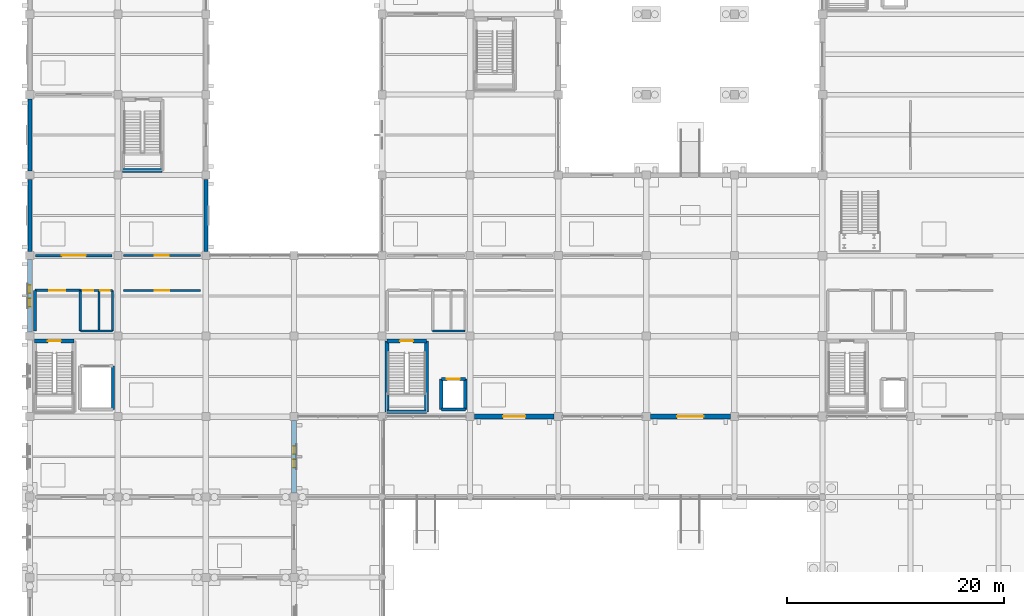
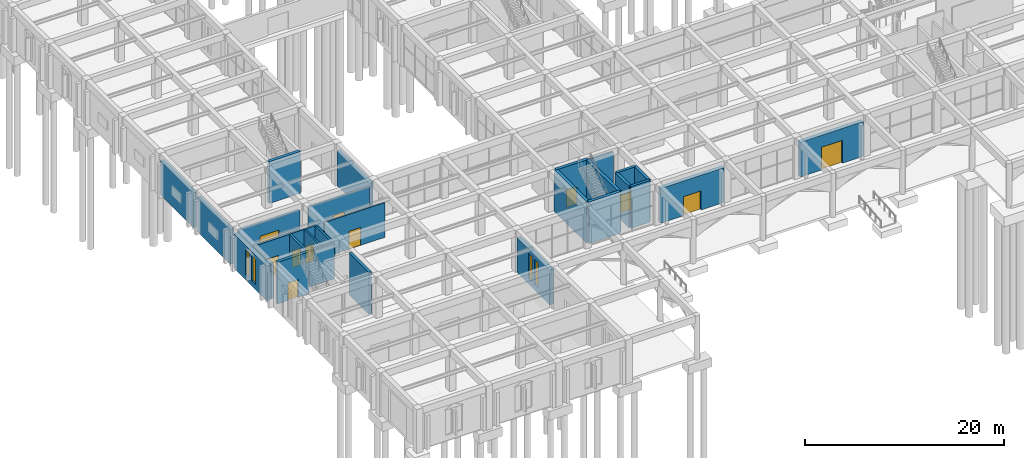
# One storey, part 122 of 140: 29 walls, 11 doors, 4 windows, 15 openings.
"""IFC4 building model written with IfcOpenShell, lengths in metres."""

from ifc_helpers import new_model, si_unit, direction, frame, frame_2d, origin, place, context, subcontext, project, spatial, rectangle, extrude, material, layer, layer_set, type_object, element, fill, save


model = new_model("IFC4")

# Units and contexts
model_context = context("Model", 3, precision=1e-05, world=origin(), true_north=direction((0.0, 1.0)))
body_context = subcontext(model_context, "Body", "Model", "MODEL_VIEW")
ifc_project = project(units=[si_unit("LENGTHUNIT", "METRE"), si_unit("AREAUNIT", "SQUARE_METRE"), si_unit("VOLUMEUNIT", "CUBIC_METRE"), si_unit("PLANEANGLEUNIT", "RADIAN"), si_unit("MASSUNIT", "GRAM", prefix="KILO")], contexts=[model_context])

# Site, building, storey
site_placement = place(None, origin())
site = spatial("IfcSite", under=ifc_project, at=site_placement, CompositionType="ELEMENT")
building_placement = place(site_placement, origin())
building = spatial("IfcBuilding", under=site, at=building_placement, Name="Cimatlan Art Gallery", CompositionType="ELEMENT")
storey_placement = place(building_placement, origin())
storey = spatial("IfcBuildingStorey", under=building, at=storey_placement, Name="L00", CompositionType="ELEMENT", Elevation=0.0)

# Walls
ifc_material_1 = material(Name="Concrete C40/50", Category="concrete")
ifc_layer_1 = layer(ifc_material_1, 0.31005859375)
ifc_layer_set_1 = layer_set([ifc_layer_1], Name="Concrete C40/50")
wall_type_1 = type_object("IfcWallType", Name="W-CORE-310", PredefinedType="SHEAR", material=ifc_layer_set_1)
wall_1_placement = place(storey_placement, frame((9.64990234375, 24.550048828125, 0.0), z_axis=(0.0, 0.0, 1.0), x_axis=(0.0, 1.0, 0.0)))
element("IfcWall", 1, at=wall_1_placement, inside=storey, type_object=wall_type_1, Name="WL-SHFT-C1-L00-LE", PredefinedType="SHEAR", context=body_context, shape_type="SweptSolid", body=[
    extrude(rectangle(XDim=4.0, YDim=0.31005859375, at=frame_2d((2.0, 0.0))), origin(), (0.0, 0.0, 1.0), 5.1298828125),
])
wall_2_placement = place(storey_placement, frame((39.85009765625, 24.550048828125, 0.0), z_axis=(0.0, 0.0, 1.0), x_axis=(0.0, 1.0, 0.0)))
element("IfcWall", 2, at=wall_2_placement, inside=storey, type_object=wall_type_1, Name="WL-SHFT-C2-L00-LW", PredefinedType="SHEAR", context=body_context, shape_type="SweptSolid", body=[
    extrude(rectangle(XDim=2.800048828125, YDim=0.31005859375, at=frame_2d((1.39990234375, 0.0))), origin(), (0.0, 0.0, 1.0), 5.1298828125),
])
wall_3_placement = place(storey_placement, frame((39.85009765625, 24.550048828125, 0.0), z_axis=(0.0, 0.0, 1.0), x_axis=(1.0, 0.0, 0.0)))
element("IfcWall", 3, at=wall_3_placement, inside=storey, type_object=wall_type_1, Name="WL-SHFT-C2-L00-LS", PredefinedType="SHEAR", context=body_context, shape_type="SweptSolid", body=[
    extrude(rectangle(XDim=2.199951171875, YDim=0.31005859375, at=frame_2d((1.10009765625, 0.0))), origin(), (0.0, 0.0, 1.0), 5.1298828125),
])
wall_4_placement = place(storey_placement, frame((42.050048828125, 24.550048828125, 0.0), z_axis=(0.0, 0.0, 1.0), x_axis=(0.0, 1.0, 0.0)))
element("IfcWall", 4, at=wall_4_placement, inside=storey, type_object=wall_type_1, Name="WL-SHFT-C2-L00-LE", PredefinedType="SHEAR", context=body_context, shape_type="SweptSolid", body=[
    extrude(rectangle(XDim=2.800048828125, YDim=0.31005859375, at=frame_2d((1.39990234375, 0.0))), origin(), (0.0, 0.0, 1.0), 5.1298828125),
])

# Wall, opening, door
wall_5_placement = place(storey_placement, frame((39.85009765625, 27.35009765625, 0.0), z_axis=(0.0, 0.0, 1.0), x_axis=(1.0, 0.0, 0.0)))
wall_5 = element("IfcWall", 5, at=wall_5_placement, inside=storey, type_object=wall_type_1, Name="WL-SHFT-C2-L00-LN", PredefinedType="SHEAR", context=body_context, shape_type="SweptSolid", body=[
    extrude(rectangle(XDim=2.199951171875, YDim=0.31005859375, at=frame_2d((1.10009765625, 0.0))), origin(), (0.0, 0.0, 1.0), 5.1298828125),
])
opening_1_placement = place(wall_5_placement, frame((0.5, 0.0, 0.0)))
opening_1 = element("IfcOpeningElement", 6, at=opening_1_placement, cuts=wall_5, Name="Opening LD-C2-L00", PredefinedType="OPENING", context=body_context, shape_type="SweptSolid", body=[
    extrude(rectangle(XDim=1.199951171875, YDim=2.14990234375, at=frame_2d((0.60009765625, 1.074951171875))), frame((0.0, 0.1650390625, 0.0), z_axis=(0.0, -1.0, 0.0), x_axis=(1.0, 0.0, 0.0)), (0.0, 0.0, 1.0), 0.330078125),
])
ifc_material_2 = material(Name="Fire-rated sliding firefighting lift landing door")
door_type_1 = type_object("IfcDoorType", Name="LD-FF-1200", OperationType="NOTDEFINED", PredefinedType="DOOR", material=ifc_material_2)
door_1_placement = place(opening_1_placement, origin())
door_1 = element("IfcDoor", 7, at=door_1_placement, inside=storey, type_object=door_type_1, Name="LD-FFL-01-L00", OperationType="SLIDING_TO_RIGHT", OverallHeight=2.14990234375, OverallWidth=1.199951171875, PredefinedType="DOOR", context=body_context, shape_type="SweptSolid", body=[
    extrude(rectangle(XDim=1.199951171875, YDim=2.14990234375, at=frame_2d((0.60009765625, 1.074951171875))), frame((0.0, 0.02490234375, 0.0), z_axis=(0.0, -1.0, 0.0), x_axis=(1.0, 0.0, 0.0)), (0.0, 0.0, 1.0), 0.050048828125),
])
fill(opening_1, door_1)

ifc_layer_2 = layer(ifc_material_1, 0.35009765625)
ifc_layer_set_2 = layer_set([ifc_layer_2], Name="Concrete C40/50")
wall_type_2 = type_object("IfcWallType", Name="W-CORE-350", PredefinedType="SHEAR", material=ifc_layer_set_2)
wall_6_placement = place(storey_placement, frame((2.43994140625, 30.860107421875, 0.0), z_axis=(0.0, 0.0, 1.0), x_axis=(1.0, 0.0, 0.0)))
wall_6 = element("IfcWall", 8, at=wall_6_placement, inside=storey, type_object=wall_type_2, Name="WL-CORE-C1-L00-SN", PredefinedType="SHEAR", context=body_context, shape_type="SweptSolid", body=[
    extrude(rectangle(XDim=3.64013671875, YDim=0.35009765625, at=frame_2d((1.820068359375, 0.0))), origin(), (0.0, 0.0, 1.0), 5.1298828125),
])
opening_2_placement = place(wall_6_placement, frame((1.219970703125, 0.0, 0.0)))
opening_2 = element("IfcOpeningElement", 9, at=opening_2_placement, cuts=wall_6, Name="Opening FD-C1-L00", PredefinedType="OPENING", context=body_context, shape_type="SweptSolid", body=[
    extrude(rectangle(XDim=1.199951171875, YDim=2.14990234375, at=frame_2d((0.60009765625, 1.074951171875))), frame((0.0, 0.18505859375, 0.0), z_axis=(0.0, -1.0, 0.0), x_axis=(1.0, 0.0, 0.0)), (0.0, 0.0, 1.0), 0.3701171875),
])
ifc_material_3 = material(Name="Fire-resisting steel acoustic stair door", Category="steel")
door_type_2 = type_object("IfcDoorType", Name="FD-ST-1200", OperationType="NOTDEFINED", PredefinedType="DOOR", material=ifc_material_3)
door_2_placement = place(opening_2_placement, origin())
door_2 = element("IfcDoor", 10, at=door_2_placement, inside=storey, type_object=door_type_2, Name="DR-C1-L00-ST", OperationType="SINGLE_SWING_LEFT", OverallHeight=2.14990234375, OverallWidth=1.199951171875, PredefinedType="DOOR", context=body_context, shape_type="SweptSolid", body=[
    extrude(rectangle(XDim=1.199951171875, YDim=2.14990234375, at=frame_2d((0.60009765625, 1.074951171875))), frame((0.0, 0.02490234375, 0.0), z_axis=(0.0, -1.0, 0.0), x_axis=(1.0, 0.0, 0.0)), (0.0, 0.0, 1.0), 0.050048828125),
])
fill(opening_2, door_2)

# Walls
wall_7_placement = place(storey_placement, frame((34.840087890625, 24.340087890625, 0.0), z_axis=(0.0, 0.0, 1.0), x_axis=(0.0, 1.0, 0.0)))
element("IfcWall", 11, at=wall_7_placement, inside=storey, type_object=wall_type_2, Name="WL-CORE-C2-L00-SW", PredefinedType="SHEAR", context=body_context, shape_type="SweptSolid", body=[
    extrude(rectangle(XDim=6.52001953125, YDim=0.35009765625, at=frame_2d((3.260009765625, 0.0))), origin(), (0.0, 0.0, 1.0), 5.1298828125),
])
wall_8_placement = place(storey_placement, frame((34.840087890625, 24.340087890625, 0.0), z_axis=(0.0, 0.0, 1.0), x_axis=(1.0, 0.0, 0.0)))
element("IfcWall", 12, at=wall_8_placement, inside=storey, type_object=wall_type_2, Name="WL-CORE-C2-L00-SS", PredefinedType="SHEAR", context=body_context, shape_type="SweptSolid", body=[
    extrude(rectangle(XDim=3.639892578125, YDim=0.35009765625, at=frame_2d((1.81982421875, 0.0))), origin(), (0.0, 0.0, 1.0), 5.1298828125),
])
wall_9_placement = place(storey_placement, frame((38.47998046875, 24.340087890625, 0.0), z_axis=(0.0, 0.0, 1.0), x_axis=(0.0, 1.0, 0.0)))
element("IfcWall", 13, at=wall_9_placement, inside=storey, type_object=wall_type_2, Name="WL-CORE-C2-L00-SE", PredefinedType="SHEAR", context=body_context, shape_type="SweptSolid", body=[
    extrude(rectangle(XDim=6.52001953125, YDim=0.35009765625, at=frame_2d((3.260009765625, 0.0))), origin(), (0.0, 0.0, 1.0), 5.1298828125),
])

# Wall, opening, door
wall_10_placement = place(storey_placement, frame((34.840087890625, 30.860107421875, 0.0), z_axis=(0.0, 0.0, 1.0), x_axis=(1.0, 0.0, 0.0)))
wall_10 = element("IfcWall", 14, at=wall_10_placement, inside=storey, type_object=wall_type_2, Name="WL-CORE-C2-L00-SN", PredefinedType="SHEAR", context=body_context, shape_type="SweptSolid", body=[
    extrude(rectangle(XDim=3.639892578125, YDim=0.35009765625, at=frame_2d((1.81982421875, 0.0))), origin(), (0.0, 0.0, 1.0), 5.1298828125),
])
opening_3_placement = place(wall_10_placement, frame((1.219970703125, 0.0, 0.0)))
opening_3 = element("IfcOpeningElement", 15, at=opening_3_placement, cuts=wall_10, Name="Opening FD-C2-L00", PredefinedType="OPENING", context=body_context, shape_type="SweptSolid", body=[
    extrude(rectangle(XDim=1.199951171875, YDim=2.14990234375, at=frame_2d((0.60009765625, 1.074951171875))), frame((0.0, 0.18505859375, 0.0), z_axis=(0.0, -1.0, 0.0), x_axis=(1.0, 0.0, 0.0)), (0.0, 0.0, 1.0), 0.3701171875),
])
door_3_placement = place(opening_3_placement, origin())
door_3 = element("IfcDoor", 16, at=door_3_placement, inside=storey, type_object=door_type_2, Name="DR-C2-L00-ST", OperationType="SINGLE_SWING_LEFT", OverallHeight=2.14990234375, OverallWidth=1.199951171875, PredefinedType="DOOR", context=body_context, shape_type="SweptSolid", body=[
    extrude(rectangle(XDim=1.199951171875, YDim=2.14990234375, at=frame_2d((0.60009765625, 1.074951171875))), frame((0.0, 0.02490234375, 0.0), z_axis=(0.0, -1.0, 0.0), x_axis=(1.0, 0.0, 0.0)), (0.0, 0.0, 1.0), 0.050048828125),
])
fill(opening_3, door_3)

# Wall
wall_11_placement = place(storey_placement, frame((10.5400390625, 46.5400390625, 0.0), z_axis=(0.0, 0.0, 1.0), x_axis=(1.0, 0.0, 0.0)))
element("IfcWall", 17, at=wall_11_placement, inside=storey, type_object=wall_type_2, Name="WL-CORE-C7-L00-SS", PredefinedType="SHEAR", context=body_context, shape_type="SweptSolid", body=[
    extrude(rectangle(XDim=3.639892578125, YDim=0.35009765625, at=frame_2d((1.81982421875, 0.0))), origin(), (0.0, 0.0, 1.0), 5.1298828125),
])

# Wall, opening, door
ifc_material_4 = material(Name="Precast concrete C40/50", Category="concrete")
ifc_layer_3 = layer(ifc_material_4, 0.2451171875)
ifc_layer_set_3 = layer_set([ifc_layer_3], Name="Precast concrete C40/50")
wall_type_3 = type_object("IfcWallType", Name="W-FFL-245", PredefinedType="PARTITIONING", material=ifc_layer_set_3)
wall_12_placement = place(storey_placement, frame((2.47998046875, 35.5, 0.0), z_axis=(0.0, 0.0, 1.0), x_axis=(1.0, 0.0, 0.0)))
wall_12 = element("IfcWall", 18, at=wall_12_placement, inside=storey, type_object=wall_type_3, Name="WL-LOB-C1-L00-N", PredefinedType="PARTITIONING", context=body_context, shape_type="SweptSolid", body=[
    extrude(rectangle(XDim=4.169921875, YDim=0.2451171875, at=frame_2d((2.0849609375, 0.0))), origin(), (0.0, 0.0, 1.0), 4.27490234375),
])
opening_4_placement = place(wall_12_placement, frame((1.300048828125, 0.0, 0.0)))
opening_4 = element("IfcOpeningElement", 19, at=opening_4_placement, cuts=wall_12, Name="Opening FDL-C1-L00", PredefinedType="OPENING", context=body_context, shape_type="SweptSolid", body=[
    extrude(rectangle(XDim=1.5, YDim=2.14990234375, at=frame_2d((0.75, 1.074951171875))), frame((0.0, 0.132568359375, 0.0), z_axis=(0.0, -1.0, 0.0), x_axis=(1.0, 0.0, 0.0)), (0.0, 0.0, 1.0), 0.26513671875),
])
ifc_material_5 = material(Name="Fire-resisting double-seal lobby door")
door_type_3 = type_object("IfcDoorType", Name="FD-LB-1500", OperationType="NOTDEFINED", PredefinedType="DOOR", material=ifc_material_5)
door_4_placement = place(opening_4_placement, origin())
door_4 = element("IfcDoor", 20, at=door_4_placement, inside=storey, type_object=door_type_3, Name="DR-LOB-C1-L00", OperationType="SINGLE_SWING_RIGHT", OverallHeight=2.14990234375, OverallWidth=1.5, PredefinedType="DOOR", context=body_context, shape_type="SweptSolid", body=[
    extrude(rectangle(XDim=1.5, YDim=2.14990234375, at=frame_2d((0.75, 1.074951171875))), frame((0.0, 0.02490234375, 0.0), z_axis=(0.0, -1.0, 0.0), x_axis=(1.0, 0.0, 0.0)), (0.0, 0.0, 1.0), 0.050048828125),
])
fill(opening_4, door_4)

# Walls
for number, where, z_axis, x_axis, name in (
    (21, (2.47998046875, 31.780029296875, 0.0), (0.0, 0.0, 1.0), (0.0, 1.0, 0.0), "WL-LOB-C1-L00-W"),
    (22, (6.64990234375, 31.780029296875, 0.0), (0.0, 0.0, 1.0), (0.0, 1.0, 0.0), "WL-LOB-C1-L00-M"),
):
    element("IfcWall", number, at=place(storey_placement, frame(where, z_axis=z_axis, x_axis=x_axis)), inside=storey, type_object=wall_type_3, Name=name, PredefinedType="PARTITIONING", context=body_context, shape_type="SweptSolid", body=[
        extrude(rectangle(XDim=3.719970703125, YDim=0.2451171875, at=frame_2d((1.85986328125, 0.0))), origin(), (0.0, 0.0, 1.0), 4.27490234375),
    ])

# Wall, opening, door
wall_13_placement = place(storey_placement, frame((2.52001953125, 38.699951171875, 0.0), z_axis=(0.0, 0.0, 1.0), x_axis=(1.0, 0.0, 0.0)))
wall_13 = element("IfcWall", 23, at=wall_13_placement, inside=storey, type_object=wall_type_3, Name="WL-RM-L00-AST-01", PredefinedType="PARTITIONING", context=body_context, shape_type="SweptSolid", body=[
    extrude(rectangle(XDim=7.06005859375, YDim=0.2451171875, at=frame_2d((3.530029296875, 0.0))), origin(), (0.0, 0.0, 1.0), 4.27490234375),
])
opening_5_placement = place(wall_13_placement, frame((2.429931640625, 0.0, 0.0)))
opening_5 = element("IfcOpeningElement", 24, at=opening_5_placement, cuts=wall_13, Name="Opening DI-0173", PredefinedType="OPENING", context=body_context, shape_type="SweptSolid", body=[
    extrude(rectangle(XDim=2.199951171875, YDim=2.64990234375, at=frame_2d((1.10009765625, 1.324951171875))), frame((0.0, 0.132568359375, 0.0), z_axis=(0.0, -1.0, 0.0), x_axis=(1.0, 0.0, 0.0)), (0.0, 0.0, 1.0), 0.26513671875),
])
ifc_material_6 = material(Name="Fire-resisting large-format art-store door")
door_type_4 = type_object("IfcDoorType", Name="FD-VL-2200", OperationType="NOTDEFINED", PredefinedType="DOOR", material=ifc_material_6)
door_5_placement = place(opening_5_placement, origin())
door_5 = element("IfcDoor", 25, at=door_5_placement, inside=storey, type_object=door_type_4, Name="DR-RM-L00-AST-01", OperationType="SINGLE_SWING_LEFT", OverallHeight=2.64990234375, OverallWidth=2.199951171875, PredefinedType="DOOR", context=body_context, shape_type="SweptSolid", body=[
    extrude(rectangle(XDim=2.199951171875, YDim=2.64990234375, at=frame_2d((1.10009765625, 1.324951171875))), frame((0.0, 0.02490234375, 0.0), z_axis=(0.0, -1.0, 0.0), x_axis=(1.0, 0.0, 0.0)), (0.0, 0.0, 1.0), 0.050048828125),
])
fill(opening_5, door_5)

ifc_material_7 = material(Name="Acoustic gypsum and steel stud partition", Category="steel")
ifc_layer_4 = layer(ifc_material_7, 0.159912109375)
ifc_layer_set_4 = layer_set([ifc_layer_4], Name="Acoustic gypsum and steel stud partition")
wall_type_4 = type_object("IfcWallType", Name="W-LRN-160", PredefinedType="PARTITIONING", material=ifc_layer_set_4)
wall_14_placement = place(storey_placement, frame((10.6201171875, 35.5, 0.0), z_axis=(0.0, 0.0, 1.0), x_axis=(1.0, 0.0, 0.0)))
wall_14 = element("IfcWall", 26, at=wall_14_placement, inside=storey, type_object=wall_type_4, Name="WL-RM-L00-LRN-01", PredefinedType="PARTITIONING", context=body_context, shape_type="SweptSolid", body=[
    extrude(rectangle(XDim=7.059814453125, YDim=0.159912109375, at=frame_2d((3.52978515625, 0.0))), origin(), (0.0, 0.0, 1.0), 4.27490234375),
])
opening_6_placement = place(wall_14_placement, frame((2.85498046875, 0.0, 0.0)))
opening_6 = element("IfcOpeningElement", 27, at=opening_6_placement, cuts=wall_14, Name="Opening DI-0176", PredefinedType="OPENING", context=body_context, shape_type="SweptSolid", body=[
    extrude(rectangle(XDim=1.35009765625, YDim=2.199951171875, at=frame_2d((0.675048828125, 1.10009765625))), frame((0.0, 0.08984375, 0.0), z_axis=(0.0, -1.0, 0.0), x_axis=(1.0, 0.0, 0.0)), (0.0, 0.0, 1.0), 0.179931640625),
])
ifc_material_8 = material(Name="Oak learning-centre workshop door")
door_type_5 = type_object("IfcDoorType", Name="DI-LN-1350", OperationType="NOTDEFINED", PredefinedType="DOOR", material=ifc_material_8)
door_6_placement = place(opening_6_placement, origin())
door_6 = element("IfcDoor", 28, at=door_6_placement, inside=storey, type_object=door_type_5, Name="DR-RM-L00-LRN-01", OperationType="SINGLE_SWING_RIGHT", OverallHeight=2.199951171875, OverallWidth=1.35009765625, PredefinedType="DOOR", context=body_context, shape_type="SweptSolid", body=[
    extrude(rectangle(XDim=1.35009765625, YDim=2.199951171875, at=frame_2d((0.675048828125, 1.10009765625))), frame((0.0, 0.02490234375, 0.0), z_axis=(0.0, -1.0, 0.0), x_axis=(1.0, 0.0, 0.0)), (0.0, 0.0, 1.0), 0.050048828125),
])
fill(opening_6, door_6)

# Walls
ifc_material_9 = material(Name="Moisture-resistant fire-rated plumbing wall")
ifc_layer_5 = layer(ifc_material_9, 0.195068359375)
ifc_layer_set_5 = layer_set([ifc_layer_5], Name="Moisture-resistant fire-rated plumbing wall")
wall_type_5 = type_object("IfcWallType", Name="W-PLM-195", PredefinedType="PARTITIONING", material=ifc_layer_set_5)
for number, where, z_axis, x_axis, name in (
    (29, (8.35009765625, 31.780029296875, 0.0), (0.0, 0.0, 1.0), (0.0, 1.0, 0.0), "WL-LOB-C1-L00-D"),
    (30, (9.6201171875, 31.780029296875, 0.0), (0.0, 0.0, 1.0), (0.0, 1.0, 0.0), "WL-LOB-C1-L00-E"),
):
    element("IfcWall", number, at=place(storey_placement, frame(where, z_axis=z_axis, x_axis=x_axis)), inside=storey, type_object=wall_type_5, Name=name, PredefinedType="PARTITIONING", context=body_context, shape_type="SweptSolid", body=[
        extrude(rectangle(XDim=3.719970703125, YDim=0.195068359375, at=frame_2d((1.85986328125, 0.0))), origin(), (0.0, 0.0, 1.0), 4.27490234375),
    ])
wall_15_placement = place(storey_placement, frame((6.64990234375, 31.780029296875, 0.0), z_axis=(0.0, 0.0, 1.0), x_axis=(1.0, 0.0, 0.0)))
element("IfcWall", 31, at=wall_15_placement, inside=storey, type_object=wall_type_5, Name="WL-LOB-C1-L00-S", PredefinedType="PARTITIONING", context=body_context, shape_type="SweptSolid", body=[
    extrude(rectangle(XDim=2.97021484375, YDim=0.195068359375, at=frame_2d((1.485107421875, 0.0))), origin(), (0.0, 0.0, 1.0), 4.27490234375),
])

# Wall, openings, doors
wall_16_placement = place(storey_placement, frame((6.64990234375, 35.5, 0.0), z_axis=(0.0, 0.0, 1.0), x_axis=(1.0, 0.0, 0.0)))
wall_16 = element("IfcWall", 32, at=wall_16_placement, inside=storey, type_object=wall_type_5, Name="WL-WC-C1-L00-N", PredefinedType="PARTITIONING", context=body_context, shape_type="SweptSolid", body=[
    extrude(rectangle(XDim=2.97021484375, YDim=0.195068359375, at=frame_2d((1.485107421875, 0.0))), origin(), (0.0, 0.0, 1.0), 4.27490234375),
])
opening_7_placement = place(wall_16_placement, frame((0.25, 0.0, 0.0)))
opening_7 = element("IfcOpeningElement", 33, at=opening_7_placement, cuts=wall_16, Name="Opening DWC-C1A-L00", PredefinedType="OPENING", context=body_context, shape_type="SweptSolid", body=[
    extrude(rectangle(XDim=0.949951171875, YDim=2.10009765625, at=frame_2d((0.47509765625, 1.050048828125))), frame((0.0, 0.107421875, 0.0), z_axis=(0.0, -1.0, 0.0), x_axis=(1.0, 0.0, 0.0)), (0.0, 0.0, 1.0), 0.215087890625),
])
opening_8_placement = place(wall_16_placement, frame((1.820068359375, 0.0, 0.0)))
opening_8 = element("IfcOpeningElement", 34, at=opening_8_placement, cuts=wall_16, Name="Opening DWC-C1B-L00", PredefinedType="OPENING", context=body_context, shape_type="SweptSolid", body=[
    extrude(rectangle(XDim=0.89990234375, YDim=2.10009765625, at=frame_2d((0.449951171875, 1.050048828125))), frame((0.0, 0.107421875, 0.0), z_axis=(0.0, -1.0, 0.0), x_axis=(1.0, 0.0, 0.0)), (0.0, 0.0, 1.0), 0.215087890625),
])
ifc_material_10 = material(Name="Sanitary room door")
door_type_6 = type_object("IfcDoorType", Name="DI-WC-0900", OperationType="NOTDEFINED", PredefinedType="DOOR", material=ifc_material_10)
door_7_placement = place(opening_8_placement, origin())
door_7 = element("IfcDoor", 35, at=door_7_placement, inside=storey, type_object=door_type_6, Name="DR-PWC-C1-L00", OperationType="SINGLE_SWING_RIGHT", OverallHeight=2.10009765625, OverallWidth=0.89990234375, PredefinedType="DOOR", context=body_context, shape_type="SweptSolid", body=[
    extrude(rectangle(XDim=0.89990234375, YDim=2.10009765625, at=frame_2d((0.449951171875, 1.050048828125))), frame((0.0, 0.02490234375, 0.0), z_axis=(0.0, -1.0, 0.0), x_axis=(1.0, 0.0, 0.0)), (0.0, 0.0, 1.0), 0.050048828125),
])
fill(opening_8, door_7)
ifc_material_11 = material(Name="Accessible sanitary room door")
door_type_7 = type_object("IfcDoorType", Name="DI-WC-0950", OperationType="NOTDEFINED", PredefinedType="DOOR", material=ifc_material_11)
door_8_placement = place(opening_7_placement, origin())
door_8 = element("IfcDoor", 36, at=door_8_placement, inside=storey, type_object=door_type_7, Name="DR-AWC-C1-L00", OperationType="SINGLE_SWING_LEFT", OverallHeight=2.10009765625, OverallWidth=0.949951171875, PredefinedType="DOOR", context=body_context, shape_type="SweptSolid", body=[
    extrude(rectangle(XDim=0.949951171875, YDim=2.10009765625, at=frame_2d((0.47509765625, 1.050048828125))), frame((0.0, 0.02490234375, 0.0), z_axis=(0.0, -1.0, 0.0), x_axis=(1.0, 0.0, 0.0)), (0.0, 0.0, 1.0), 0.050048828125),
])
fill(opening_7, door_8)

# Wall
wall_17_placement = place(storey_placement, frame((39.050048828125, 31.780029296875, 0.0), z_axis=(0.0, 0.0, 1.0), x_axis=(1.0, 0.0, 0.0)))
element("IfcWall", 37, at=wall_17_placement, inside=storey, type_object=wall_type_5, Name="WL-LOB-C2-L00-S", PredefinedType="PARTITIONING", context=body_context, shape_type="SweptSolid", body=[
    extrude(rectangle(XDim=2.969970703125, YDim=0.195068359375, at=frame_2d((1.48486328125, 0.0))), origin(), (0.0, 0.0, 1.0), 4.27490234375),
])

# Wall, opening, door
ifc_layer_6 = layer(ifc_material_7, 0.179931640625)
ifc_layer_set_6 = layer_set([ifc_layer_6], Name="Acoustic gypsum and steel stud partition")
wall_type_6 = type_object("IfcWallType", Name="W-STD-180", PredefinedType="PARTITIONING", material=ifc_layer_set_6)
wall_18_placement = place(storey_placement, frame((10.6201171875, 38.699951171875, 0.0), z_axis=(0.0, 0.0, 1.0), x_axis=(1.0, 0.0, 0.0)))
wall_18 = element("IfcWall", 38, at=wall_18_placement, inside=storey, type_object=wall_type_6, Name="WL-RM-L00-CNS-B1S", PredefinedType="PARTITIONING", context=body_context, shape_type="SweptSolid", body=[
    extrude(rectangle(XDim=7.059814453125, YDim=0.179931640625, at=frame_2d((3.52978515625, 0.0))), origin(), (0.0, 0.0, 1.0), 4.27490234375),
])
opening_9_placement = place(wall_18_placement, frame((2.8798828125, 0.0, 0.0)))
opening_9 = element("IfcOpeningElement", 39, at=opening_9_placement, cuts=wall_18, Name="Opening DI-0174", PredefinedType="OPENING", context=body_context, shape_type="SweptSolid", body=[
    extrude(rectangle(XDim=1.300048828125, YDim=2.199951171875, at=frame_2d((0.64990234375, 1.10009765625))), frame((0.0, 0.10009765625, 0.0), z_axis=(0.0, -1.0, 0.0), x_axis=(1.0, 0.0, 0.0)), (0.0, 0.0, 1.0), 0.199951171875),
])
ifc_material_12 = material(Name="Conservation laboratory double-leaf door")
door_type_8 = type_object("IfcDoorType", Name="DI-CN-1300", OperationType="NOTDEFINED", PredefinedType="DOOR", material=ifc_material_12)
door_9_placement = place(opening_9_placement, origin())
door_9 = element("IfcDoor", 40, at=door_9_placement, inside=storey, type_object=door_type_8, Name="DR-RM-L00-CNS-B1S", OperationType="SINGLE_SWING_RIGHT", OverallHeight=2.199951171875, OverallWidth=1.300048828125, PredefinedType="DOOR", context=body_context, shape_type="SweptSolid", body=[
    extrude(rectangle(XDim=1.300048828125, YDim=2.199951171875, at=frame_2d((0.64990234375, 1.10009765625))), frame((0.0, 0.02490234375, 0.0), z_axis=(0.0, -1.0, 0.0), x_axis=(1.0, 0.0, 0.0)), (0.0, 0.0, 1.0), 0.050048828125),
])
fill(opening_9, door_9)

# Wall, openings, windows
ifc_layer_7 = layer(ifc_material_4, 0.43994140625)
ifc_layer_set_7 = layer_set([ifc_layer_7], Name="Precast concrete C40/50")
wall_type_7 = type_object("IfcWallType", Name="WL-EXT-CAN-440", PredefinedType="SOLIDWALL", material=ifc_layer_set_7)
wall_19_placement = place(storey_placement, frame((2.0, 31.678955078125, 0.0), z_axis=(0.0, 0.0, 1.0), x_axis=(0.0, 1.0, 0.0)))
wall_19 = element("IfcWall", 41, at=wall_19_placement, inside=storey, type_object=wall_type_7, Name="WL-EXT-L00-00-04-W", PredefinedType="SOLIDWALL", context=body_context, shape_type="SweptSolid", body=[
    extrude(rectangle(XDim=6.64208984375, YDim=0.43994140625, at=frame_2d((3.321044921875, 0.0))), origin(), (0.0, 0.0, 1.0), 4.27001953125),
])
opening_10_placement = place(wall_19_placement, frame((2.3310546875, 0.0, 0.64990234375)))
opening_10 = element("IfcOpeningElement", 42, at=opening_10_placement, cuts=wall_19, Name="Opening WN-0015", PredefinedType="OPENING", context=body_context, shape_type="SweptSolid", body=[
    extrude(rectangle(XDim=0.75, YDim=3.10009765625, at=frame_2d((0.375, 1.550048828125))), frame((0.0, 0.22998046875, 0.0), z_axis=(0.0, -1.0, 0.0), x_axis=(1.0, 0.0, 0.0)), (0.0, 0.0, 1.0), 0.4599609375),
])
opening_11_placement = place(wall_19_placement, frame((3.56103515625, 0.0, 0.64990234375)))
opening_11 = element("IfcOpeningElement", 43, at=opening_11_placement, cuts=wall_19, Name="Opening WN-0016", PredefinedType="OPENING", context=body_context, shape_type="SweptSolid", body=[
    extrude(rectangle(XDim=0.75, YDim=3.10009765625, at=frame_2d((0.375, 1.550048828125))), frame((0.0, 0.22998046875, 0.0), z_axis=(0.0, -1.0, 0.0), x_axis=(1.0, 0.0, 0.0)), (0.0, 0.0, 1.0), 0.4599609375),
])
ifc_material_13 = material(Name="Low-E laminated double glazing in bronze lancet frame", Category="glass")
window_type = type_object("IfcWindowType", Name="WIN-CNS-L00-0750X3100", PartitioningType="SINGLE_PANEL", PredefinedType="WINDOW", material=ifc_material_13)
window_1_placement = place(opening_10_placement, origin())
window_1 = element("IfcWindow", 44, at=window_1_placement, inside=storey, type_object=window_type, Name="WIN-0015", OverallHeight=3.10009765625, OverallWidth=0.75, PartitioningType="SINGLE_PANEL", PredefinedType="WINDOW", context=body_context, shape_type="SweptSolid", body=[
    extrude(rectangle(XDim=0.75, YDim=3.10009765625, at=frame_2d((0.375, 1.550048828125))), frame((0.0, 0.030029296875, 0.0), z_axis=(0.0, -1.0, 0.0), x_axis=(1.0, 0.0, 0.0)), (0.0, 0.0, 1.0), 0.06005859375),
])
fill(opening_10, window_1)
window_2_placement = place(opening_11_placement, origin())
window_2 = element("IfcWindow", 45, at=window_2_placement, inside=storey, type_object=window_type, Name="WIN-0016", OverallHeight=3.10009765625, OverallWidth=0.75, PartitioningType="SINGLE_PANEL", PredefinedType="WINDOW", context=body_context, shape_type="SweptSolid", body=[
    extrude(rectangle(XDim=0.75, YDim=3.10009765625, at=frame_2d((0.375, 1.550048828125))), frame((0.0, 0.030029296875, 0.0), z_axis=(0.0, -1.0, 0.0), x_axis=(1.0, 0.0, 0.0)), (0.0, 0.0, 1.0), 0.06005859375),
])
fill(opening_11, window_2)

wall_20_placement = place(storey_placement, frame((26.300048828125, 23.52099609375, 0.0), z_axis=(0.0, 0.0, 1.0), x_axis=(0.0, -1.0, 0.0)))
wall_20 = element("IfcWall", 46, at=wall_20_placement, inside=storey, type_object=wall_type_7, Name="WL-EXT-L00-02-02-E", PredefinedType="SOLIDWALL", context=body_context, shape_type="SweptSolid", body=[
    extrude(rectangle(XDim=6.64208984375, YDim=0.43994140625, at=frame_2d((3.321044921875, 0.0))), origin(), (0.0, 0.0, 1.0), 4.27001953125),
])
opening_12_placement = place(wall_20_placement, frame((2.3310546875, 0.0, 0.64990234375)))
opening_12 = element("IfcOpeningElement", 47, at=opening_12_placement, cuts=wall_20, Name="Opening WN-0033", PredefinedType="OPENING", context=body_context, shape_type="SweptSolid", body=[
    extrude(rectangle(XDim=0.75, YDim=3.10009765625, at=frame_2d((0.375, 1.550048828125))), frame((0.0, 0.22998046875, 0.0), z_axis=(0.0, -1.0, 0.0), x_axis=(1.0, 0.0, 0.0)), (0.0, 0.0, 1.0), 0.4599609375),
])
opening_13_placement = place(wall_20_placement, frame((3.56103515625, 0.0, 0.64990234375)))
opening_13 = element("IfcOpeningElement", 48, at=opening_13_placement, cuts=wall_20, Name="Opening WN-0034", PredefinedType="OPENING", context=body_context, shape_type="SweptSolid", body=[
    extrude(rectangle(XDim=0.75, YDim=3.10009765625, at=frame_2d((0.375, 1.550048828125))), frame((0.0, 0.22998046875, 0.0), z_axis=(0.0, -1.0, 0.0), x_axis=(1.0, 0.0, 0.0)), (0.0, 0.0, 1.0), 0.4599609375),
])
window_3_placement = place(opening_12_placement, origin())
window_3 = element("IfcWindow", 49, at=window_3_placement, inside=storey, type_object=window_type, Name="WIN-0033", OverallHeight=3.10009765625, OverallWidth=0.75, PartitioningType="SINGLE_PANEL", PredefinedType="WINDOW", context=body_context, shape_type="SweptSolid", body=[
    extrude(rectangle(XDim=0.75, YDim=3.10009765625, at=frame_2d((0.375, 1.550048828125))), frame((0.0, 0.030029296875, 0.0), z_axis=(0.0, -1.0, 0.0), x_axis=(1.0, 0.0, 0.0)), (0.0, 0.0, 1.0), 0.06005859375),
])
fill(opening_12, window_3)
window_4_placement = place(opening_13_placement, origin())
window_4 = element("IfcWindow", 50, at=window_4_placement, inside=storey, type_object=window_type, Name="WIN-0034", OverallHeight=3.10009765625, OverallWidth=0.75, PartitioningType="SINGLE_PANEL", PredefinedType="WINDOW", context=body_context, shape_type="SweptSolid", body=[
    extrude(rectangle(XDim=0.75, YDim=3.10009765625, at=frame_2d((0.375, 1.550048828125))), frame((0.0, 0.030029296875, 0.0), z_axis=(0.0, -1.0, 0.0), x_axis=(1.0, 0.0, 0.0)), (0.0, 0.0, 1.0), 0.06005859375),
])
fill(opening_13, window_4)

# Wall, opening, door
wall_21_placement = place(storey_placement, frame((50.220947265625, 23.89990234375, 0.0), z_axis=(0.0, 0.0, 1.0), x_axis=(-1.0, 0.0, 0.0)))
wall_21 = element("IfcWall", 51, at=wall_21_placement, inside=storey, type_object=wall_type_7, Name="WL-EXT-L00-05-03-S", PredefinedType="SOLIDWALL", context=body_context, shape_type="SweptSolid", body=[
    extrude(rectangle(XDim=7.342041015625, YDim=0.43994140625, at=frame_2d((3.6708984375, 0.0))), origin(), (0.0, 0.0, 1.0), 4.27001953125),
])
opening_14_placement = place(wall_21_placement, frame((2.64599609375, 0.0, 0.0)))
opening_14 = element("IfcOpeningElement", 52, at=opening_14_placement, cuts=wall_21, Name="Opening D-L00-E02", PredefinedType="OPENING", context=body_context, shape_type="SweptSolid", body=[
    extrude(rectangle(XDim=2.050048828125, YDim=2.35009765625, at=frame_2d((1.02490234375, 1.175048828125))), frame((0.0, 0.22998046875, 0.0), z_axis=(0.0, -1.0, 0.0), x_axis=(1.0, 0.0, 0.0)), (0.0, 0.0, 1.0), 0.4599609375),
])
ifc_material_14 = material(Name="Anodised bronze and laminated safety glass door", Category="glass")
door_type_9 = type_object("IfcDoorType", Name="DE-EX-2050", OperationType="NOTDEFINED", PredefinedType="DOOR", material=ifc_material_14)
door_10_placement = place(opening_14_placement, origin())
door_10 = element("IfcDoor", 53, at=door_10_placement, inside=storey, type_object=door_type_9, Name="D-L00-E02", OperationType="DOUBLE_SWING_LEFT", OverallHeight=2.35009765625, OverallWidth=2.050048828125, PredefinedType="DOOR", context=body_context, shape_type="SweptSolid", body=[
    extrude(rectangle(XDim=2.050048828125, YDim=2.35009765625, at=frame_2d((1.02490234375, 1.175048828125))), frame((0.0, 0.02490234375, 0.0), z_axis=(0.0, -1.0, 0.0), x_axis=(1.0, 0.0, 0.0)), (0.0, 0.0, 1.0), 0.050048828125),
])
fill(opening_14, door_10)

wall_22_placement = place(storey_placement, frame((66.4208984375, 23.89990234375, 0.0), z_axis=(0.0, 0.0, 1.0), x_axis=(-1.0, 0.0, 0.0)))
wall_22 = element("IfcWall", 54, at=wall_22_placement, inside=storey, type_object=wall_type_7, Name="WL-EXT-L00-07-03-S", PredefinedType="SOLIDWALL", context=body_context, shape_type="SweptSolid", body=[
    extrude(rectangle(XDim=7.341796875, YDim=0.43994140625, at=frame_2d((3.6708984375, 0.0))), origin(), (0.0, 0.0, 1.0), 4.27001953125),
])
opening_15_placement = place(wall_22_placement, frame((2.446044921875, 0.0, 0.0)))
opening_15 = element("IfcOpeningElement", 55, at=opening_15_placement, cuts=wall_22, Name="Opening D-L00-E03", PredefinedType="OPENING", context=body_context, shape_type="SweptSolid", body=[
    extrude(rectangle(XDim=2.449951171875, YDim=2.800048828125, at=frame_2d((1.22509765625, 1.39990234375))), frame((0.0, 0.22998046875, 0.0), z_axis=(0.0, -1.0, 0.0), x_axis=(1.0, 0.0, 0.0)), (0.0, 0.0, 1.0), 0.4599609375),
])
door_type_10 = type_object("IfcDoorType", Name="DE-PT-2450", OperationType="NOTDEFINED", PredefinedType="DOOR", material=ifc_material_14)
door_11_placement = place(opening_15_placement, origin())
door_11 = element("IfcDoor", 56, at=door_11_placement, inside=storey, type_object=door_type_10, Name="D-L00-E03", OperationType="DOUBLE_SWING_LEFT", OverallHeight=2.800048828125, OverallWidth=2.449951171875, PredefinedType="DOOR", context=body_context, shape_type="SweptSolid", body=[
    extrude(rectangle(XDim=2.449951171875, YDim=2.800048828125, at=frame_2d((1.22509765625, 1.39990234375))), frame((0.0, 0.02490234375, 0.0), z_axis=(0.0, -1.0, 0.0), x_axis=(1.0, 0.0, 0.0)), (0.0, 0.0, 1.0), 0.050048828125),
])
fill(opening_15, door_11)

# Walls
ifc_layer_8 = layer(ifc_material_4, 0.364990234375)
ifc_layer_set_8 = layer_set([ifc_layer_8], Name="Precast concrete C40/50")
wall_type_8 = type_object("IfcWallType", Name="WL-EXT-VLT-365", PredefinedType="SOLIDWALL", material=ifc_layer_set_8)
wall_23_placement = place(storey_placement, frame((2.0, 39.0791015625, 0.0), z_axis=(0.0, 0.0, 1.0), x_axis=(0.0, 1.0, 0.0)))
element("IfcWall", 57, at=wall_23_placement, inside=storey, type_object=wall_type_8, Name="WL-EXT-L00-00-05-W", PredefinedType="SOLIDWALL", context=body_context, shape_type="SweptSolid", body=[
    extrude(rectangle(XDim=6.641845703125, YDim=0.364990234375, at=frame_2d((3.32080078125, 0.0))), origin(), (0.0, 0.0, 1.0), 4.27001953125),
])
wall_24_placement = place(storey_placement, frame((2.0, 46.47900390625, 0.0), z_axis=(0.0, 0.0, 1.0), x_axis=(0.0, 1.0, 0.0)))
element("IfcWall", 58, at=wall_24_placement, inside=storey, type_object=wall_type_8, Name="WL-EXT-L00-00-06-W", PredefinedType="SOLIDWALL", context=body_context, shape_type="SweptSolid", body=[
    extrude(rectangle(XDim=6.64208984375, YDim=0.364990234375, at=frame_2d((3.321044921875, 0.0))), origin(), (0.0, 0.0, 1.0), 4.27001953125),
])
wall_25_placement = place(storey_placement, frame((18.199951171875, 45.720947265625, 0.0), z_axis=(0.0, 0.0, 1.0), x_axis=(0.0, -1.0, 0.0)))
element("IfcWall", 59, at=wall_25_placement, inside=storey, type_object=wall_type_8, Name="WL-EXT-L00-01-05-E", PredefinedType="SOLIDWALL", context=body_context, shape_type="SweptSolid", body=[
    extrude(rectangle(XDim=6.641845703125, YDim=0.364990234375, at=frame_2d((3.32080078125, 0.0))), origin(), (0.0, 0.0, 1.0), 4.27001953125),
])

save(model, "model.ifc")
